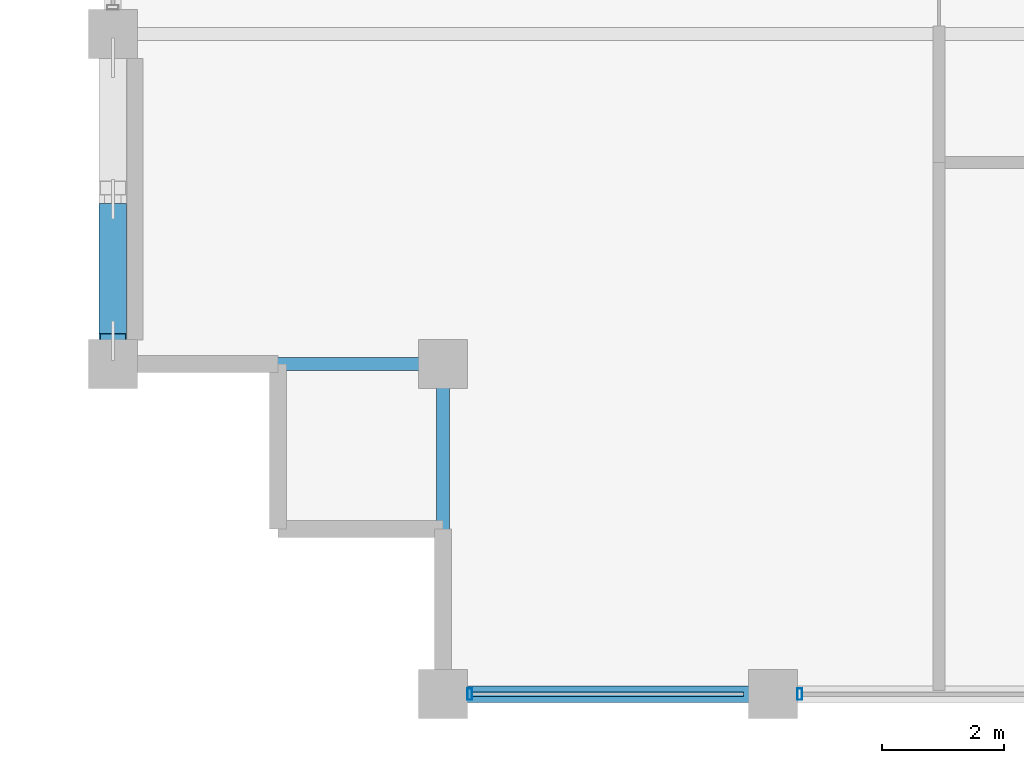
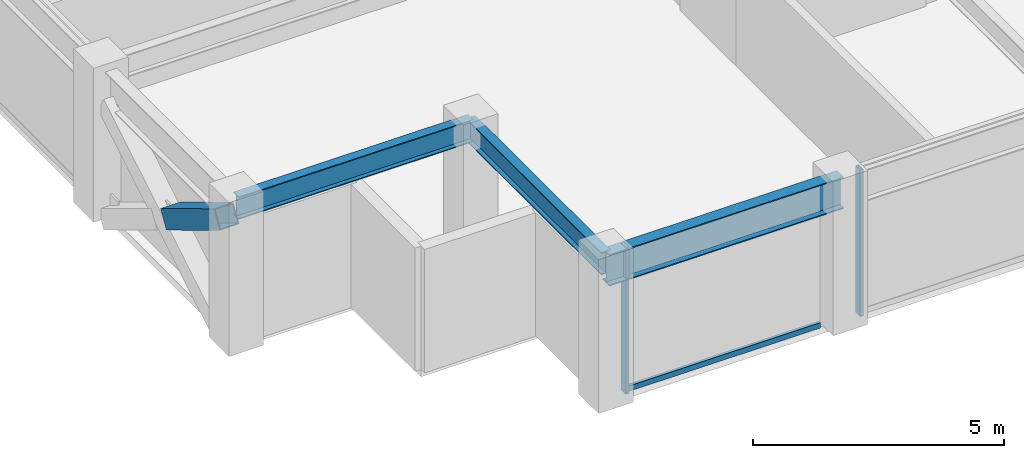
# One storey, part 2 of 30: 4 members, 3 beams, 1 element without a shape of its own.
"""IFC4 building model written with IfcOpenShell, lengths in metres."""

from ifc_helpers import new_model, si_unit, direction, frame, origin, origin_2d, place, context, subcontext, project, spatial, hollow_rectangle, i_section, extrude, material, layer, layer_set, material_profile, profile_set, type_object, element, aggregate, save


model = new_model("IFC4")

# Units and contexts
model_context = context("Model", 3, precision=1e-05, world=origin(), true_north=direction((0.0, 1.0)))
body_context = subcontext(model_context, "Body", "Model", "MODEL_VIEW")
ifc_project = project(units=[si_unit("LENGTHUNIT", "METRE"), si_unit("AREAUNIT", "SQUARE_METRE"), si_unit("VOLUMEUNIT", "CUBIC_METRE"), si_unit("PLANEANGLEUNIT", "RADIAN"), si_unit("MASSUNIT", "GRAM", prefix="KILO")], contexts=[model_context])

# Site, building, storey
site_placement = place(None, origin())
site = spatial("IfcSite", under=ifc_project, at=site_placement, CompositionType="ELEMENT")
building_placement = place(site_placement, origin())
building = spatial("IfcBuilding", under=site, at=building_placement, Name="Surkhivell Harbour Commons", CompositionType="ELEMENT")
storey_placement = place(building_placement, frame((0.0, 0.0, 231.0)))
storey = spatial("IfcBuildingStorey", under=building, at=storey_placement, Name="L60", CompositionType="ELEMENT", Elevation=231.0)

# Beams
ifc_material_1 = material(Name="Steel S355", Category="steel")
ifc_material_profile_1 = material_profile(ifc_material_1, i_section(OverallWidth=0.2119140625, OverallDepth=0.5439453125, WebThickness=0.0126953125, FlangeThickness=0.021240234375, at=origin_2d()), Name="UB533x210x122")
ifc_profile_set_1 = profile_set([ifc_material_profile_1], Name="Steel S355")
beam_type_1 = type_object("IfcBeamType", Name="BM-GRD-533A", PredefinedType="BEAM", material=ifc_profile_set_1)
beam_1_placement = place(storey_placement, frame((-27.0, -16.199951171875, 3.298095703125), z_axis=(1.0, 0.0, 0.0), x_axis=(0.0, 1.0, 0.0)))
element("IfcBeam", 1, at=beam_1_placement, inside=storey, type_object=beam_type_1, Name="L60 Floor Girder (-27.0,-16.2)", PredefinedType="BEAM", context=body_context, shape_type="SweptSolid", body=[
    extrude(i_section(OverallWidth=0.2119140625, OverallDepth=0.5439453125, WebThickness=0.0126953125, FlangeThickness=0.021240234375, at=origin_2d()), origin(), (0.0, 0.0, 1.0), 5.39990234375),
])
beam_2_placement = place(storey_placement, frame((-21.60009765625, -21.60009765625, 3.298095703125), z_axis=(0.0, 1.0, 0.0), x_axis=(-1.0, 0.0, 0.0)))
element("IfcBeam", 2, at=beam_2_placement, inside=storey, type_object=beam_type_1, Name="L60 Floor Girder (-21.6,-21.6)", PredefinedType="BEAM", context=body_context, shape_type="SweptSolid", body=[
    extrude(i_section(OverallWidth=0.2119140625, OverallDepth=0.5439453125, WebThickness=0.0126953125, FlangeThickness=0.021240234375, at=origin_2d()), origin(), (0.0, 0.0, 1.0), 5.400146484375),
])
ifc_material_profile_2 = material_profile(ifc_material_1, i_section(OverallWidth=0.26806640625, OverallDepth=0.77001953125, WebThickness=0.015625, FlangeThickness=0.025390625, at=origin_2d()), Name="UB762x267x197")
ifc_profile_set_2 = profile_set([ifc_material_profile_2], Name="Steel S355")
beam_type_2 = type_object("IfcBeamType", Name="BM-SPN-762", PredefinedType="SPANDREL", material=ifc_profile_set_2)
beam_3_placement = place(storey_placement, frame((-21.60009765625, -21.60009765625, 3.18505859375), z_axis=(1.0, 0.0, 0.0), x_axis=(0.0, 1.0, 0.0)))
element("IfcBeam", 3, at=beam_3_placement, inside=storey, type_object=beam_type_2, Name="L60 Tube Spandrel (-21.6,-21.6)", PredefinedType="SPANDREL", context=body_context, shape_type="SweptSolid", body=[
    extrude(i_section(OverallWidth=0.26806640625, OverallDepth=0.77001953125, WebThickness=0.015625, FlangeThickness=0.025390625, at=origin_2d()), origin(), (0.0, 0.0, 1.0), 5.400146484375),
])

# Curtain wall, members
ifc_material_2 = material(Name="Anodised pale-metal aluminium and insulated glazing", Category="aluminium")
ifc_layer = layer(ifc_material_2, 0.18994140625)
ifc_layer_set = layer_set([ifc_layer], Name="Anodised pale-metal aluminium and insulated glazing")
curtain_wall_type = type_object("IfcCurtainWallType", Name="CW-SYS-Z3", PredefinedType="NOTDEFINED", material=ifc_layer_set)
curtain_wall_placement = place(storey_placement, origin())
curtain_wall = element("IfcCurtainWall", 4, at=curtain_wall_placement, inside=storey, type_object=curtain_wall_type, Name="L60 Curtain Wall CW-L60-E00S1", PredefinedType="NOTDEFINED")
ifc_material_3 = material(Name="Anodised pale-metal aluminium alloy 6063-T6", Category="aluminium")
ifc_material_profile_3 = material_profile(ifc_material_3, hollow_rectangle(XDim=0.074951171875, YDim=0.18994140625, WallThickness=0.00390625, at=origin_2d()), Name="ALU-MULL-75x190")
ifc_profile_set_3 = profile_set([ifc_material_profile_3], Name="Anodised pale-metal aluminium alloy 6063-T6")
member_type_1 = type_object("IfcMemberType", Name="CWM-190", PredefinedType="MULLION", material=ifc_profile_set_3)
member_1_placement = place(storey_placement, frame((-21.160400390625, -21.60009765625, 0.0), z_axis=(0.0, 0.0, 1.0), x_axis=(1.0, 0.0, 0.0)))
member_1 = element("IfcMember", 5, at=member_1_placement, type_object=member_type_1, Name="CW-Z3 mullion 1", PredefinedType="MULLION", context=body_context, shape_type="SweptSolid", body=[
    extrude(hollow_rectangle(XDim=0.074951171875, YDim=0.18994140625, WallThickness=0.00390625, at=origin_2d()), origin(), (0.0, 0.0, 1.0), 3.570068359375),
])
member_2_placement = place(storey_placement, frame((-15.760498046875, -21.60009765625, 0.0), z_axis=(0.0, 0.0, 1.0), x_axis=(1.0, 0.0, 0.0)))
member_2 = element("IfcMember", 6, at=member_2_placement, type_object=member_type_1, Name="CW-Z3 mullion 2", PredefinedType="MULLION", context=body_context, shape_type="SweptSolid", body=[
    extrude(hollow_rectangle(XDim=0.074951171875, YDim=0.18994140625, WallThickness=0.00390625, at=origin_2d()), origin(), (0.0, 0.0, 1.0), 3.570068359375),
])
ifc_material_4 = material(Name="Champagne anodised aluminium alloy 6063-T6", Category="aluminium")
ifc_material_profile_4 = material_profile(ifc_material_4, hollow_rectangle(XDim=0.070068359375, YDim=0.1298828125, WallThickness=0.00341796875, at=origin_2d()), Name="ALU-TRAN-70x130")
ifc_profile_set_4 = profile_set([ifc_material_profile_4], Name="Champagne anodised aluminium alloy 6063-T6")
member_type_2 = type_object("IfcMemberType", Name="CWT-130", PredefinedType="USERDEFINED", material=ifc_profile_set_4)
member_3_placement = place(storey_placement, frame((-21.123046875, -21.60009765625, 0.06494140625), z_axis=(1.0, 0.0, 0.0), x_axis=(0.0, 1.0, 0.0)))
member_3 = element("IfcMember", 7, at=member_3_placement, type_object=member_type_2, Name="CW-Z3 transom 1.1", ObjectType="TRANSOM", PredefinedType="USERDEFINED", context=body_context, shape_type="SweptSolid", body=[
    extrude(hollow_rectangle(XDim=0.070068359375, YDim=0.1298828125, WallThickness=0.00341796875, at=origin_2d()), origin(), (0.0, 0.0, 1.0), 4.446044921875),
])
aggregate(curtain_wall, [member_1, member_3, member_2])

# Member
ifc_material_5 = material(Name="Steel S460", Category="steel")
ifc_material_profile_5 = material_profile(ifc_material_5, hollow_rectangle(XDim=0.449951171875, YDim=0.449951171875, WallThickness=0.02197265625, at=origin_2d()), Name="SHS450x450x22")
ifc_profile_set_5 = profile_set([ifc_material_profile_5], Name="Steel S460")
member_type_3 = type_object("IfcMemberType", Name="MEM-BRC-SHS450", PredefinedType="BRACE", material=ifc_profile_set_5)
member_4_placement = place(storey_placement, frame((-27.0, -13.684814453125, 1.517578125), z_axis=(0.0, -0.856017753989, 0.516946423584), x_axis=(1.0, 0.0, 0.0)))
element("IfcMember", 8, at=member_4_placement, inside=storey, type_object=member_type_3, Name="L60 Perimeter Mega-Brace MB- 12", PredefinedType="BRACE", context=body_context, shape_type="SweptSolid", body=[
    extrude(hollow_rectangle(XDim=0.449951171875, YDim=0.449951171875, WallThickness=0.02197265625, at=origin_2d()), origin(), (0.0, 0.0, 1.0), 2.488525390625),
])

save(model, "model.ifc")
